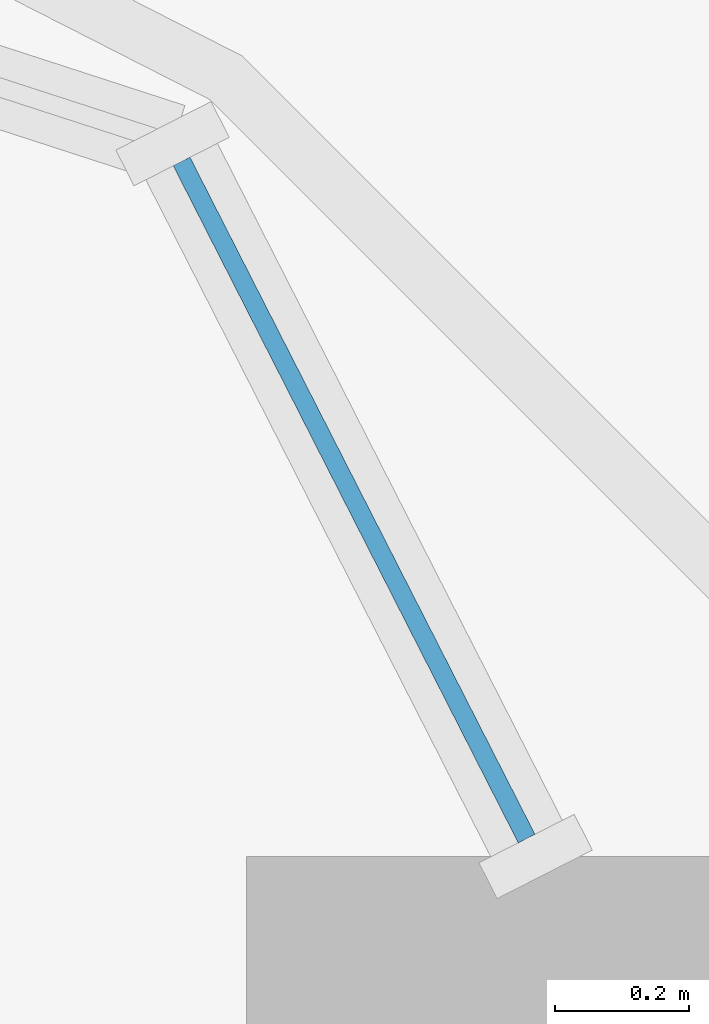
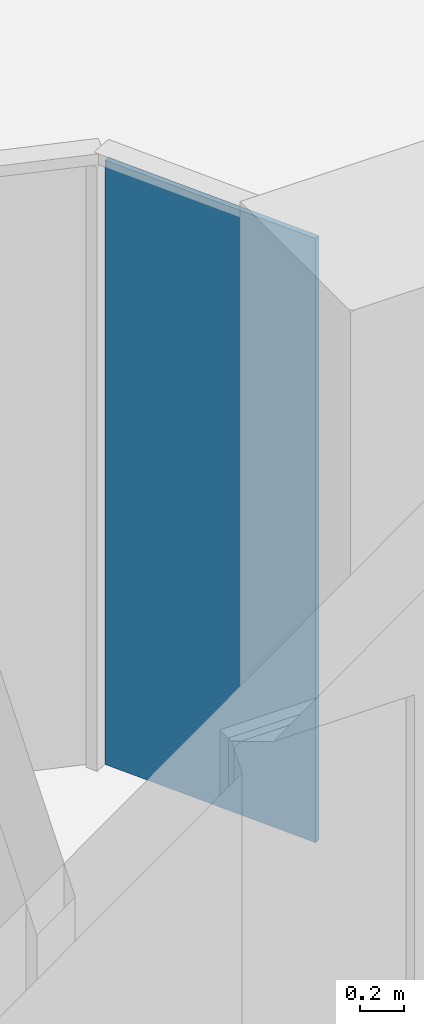
# One storey, part 20 of 51: 1 plate, 1 element without a shape of its own.
"""IFC4 building model written with IfcOpenShell, lengths in metres."""

from ifc_helpers import new_model, si_unit, direction, frame, origin, origin_2d, place, context, subcontext, project, spatial, rectangle, extrude, material, layer, layer_set, type_object, element, aggregate, save


model = new_model("IFC4")

# Units and contexts
model_context = context("Model", 3, precision=1e-05, world=origin(), true_north=direction((0.0, 1.0)))
body_context = subcontext(model_context, "Body", "Model", "MODEL_VIEW")
ifc_project = project(units=[si_unit("LENGTHUNIT", "METRE"), si_unit("AREAUNIT", "SQUARE_METRE"), si_unit("VOLUMEUNIT", "CUBIC_METRE"), si_unit("PLANEANGLEUNIT", "RADIAN"), si_unit("MASSUNIT", "GRAM", prefix="KILO")], contexts=[model_context])

# Site, building, storey
site_placement = place(None, origin())
site = spatial("IfcSite", under=ifc_project, at=site_placement, CompositionType="ELEMENT")
building_placement = place(site_placement, origin())
building = spatial("IfcBuilding", under=site, at=building_placement, Name="Ogive Portal Towers", CompositionType="ELEMENT")
storey_placement = place(building_placement, frame((0.0, 0.0, 33.5)))
storey = spatial("IfcBuildingStorey", under=building, at=storey_placement, Name="L06", CompositionType="ELEMENT", Elevation=33.5)

# Curtain wall, plate
ifc_material = material(Name="Glass, clear low-iron insulated glazing", Category="glass")
curtain_wall_type = type_object("IfcCurtainWallType", Name="CW RESIDENCES RIBBON", PredefinedType="NOTDEFINED", material=ifc_material)
curtain_wall_placement = place(storey_placement, origin())
curtain_wall = element("IfcCurtainWall", 1, at=curtain_wall_placement, inside=storey, type_object=curtain_wall_type, Name="B:L06:f06:cwa~1", PredefinedType="NOTDEFINED")
ifc_layer = layer(ifc_material, 0.028076171875)
ifc_layer_set = layer_set([ifc_layer], Name="CW PANEL IGU 28")
plate_type = type_object("IfcPlateType", Name="CW PANEL IGU 28", PredefinedType="CURTAIN_PANEL", material=ifc_layer_set)
plate_placement = place(storey_placement, frame((150.26025390625, 43.591552734375, 0.0), z_axis=(0.0, 0.0, 1.0), x_axis=(-0.45399049974, 0.891006524188, 0.0)))
plate = element("IfcPlate", 2, at=plate_placement, type_object=plate_type, Name="panel", PredefinedType="CURTAIN_PANEL", context=body_context, shape_type="SweptSolid", body=[
    extrude(rectangle(XDim=1.137451171875, YDim=0.028076171875, at=origin_2d()), origin(), (0.0, 0.0, 1.0), 3.340087890625),
])
aggregate(curtain_wall, [plate])

save(model, "model.ifc")
